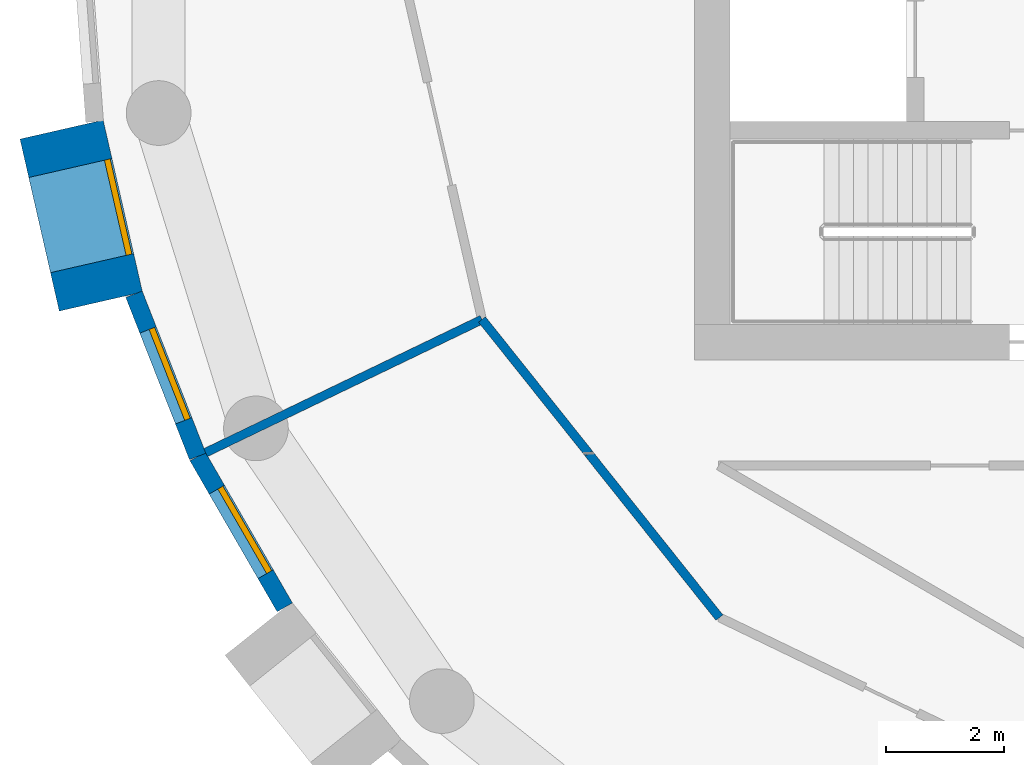
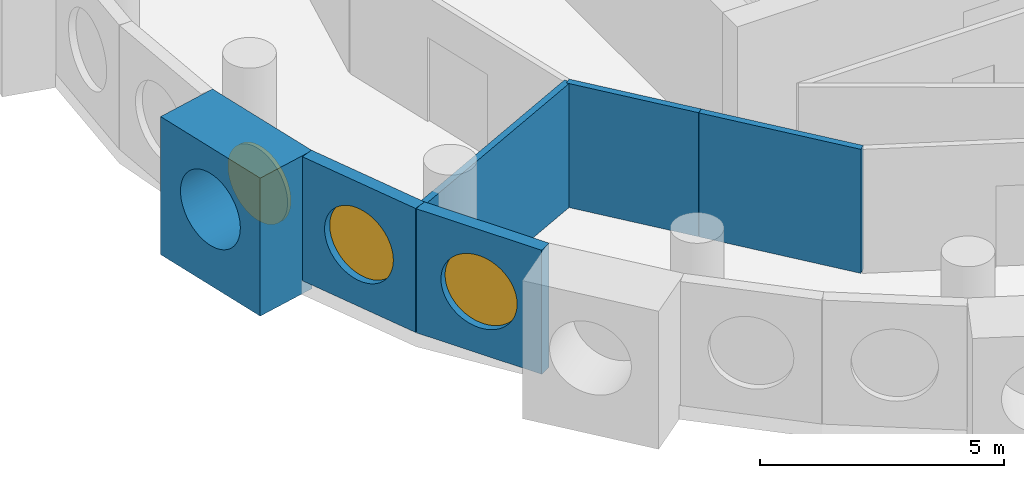
# One storey, part 2 of 13: 6 walls, 3 windows, 3 openings.
"""IFC4 building model written with IfcOpenShell, lengths in metres."""

import ifcopenshell
import ifcopenshell.guid

model = None  # the IFC model being written
_history = None  # IfcOwnerHistory: only IFC2X3 demands one
_inside = {}  # id of a spatial element -> (the spatial element, [elements in it])
_under = {}  # id of a project, library or spatial element -> (it, [spatial elements below it])
_declared = {}  # id of a project -> (the project, [libraries it declares])
_typed = {}  # id of a type object -> (the type object, [elements of that type])
_made_of = {}  # id of a material, layer set ... -> (it, [elements and type objects made of it])


def new_model(schema):
    """Start an empty IFC model of exactly this schema.

    Asked for "IFC4X3", IfcOpenShell would pick the latest addendum, in which some entities
    have other attributes; the version numbers below select the first issue.
    IFC2X3 requires an IfcOwnerHistory on every rooted entity: one is made here for all.
    """
    global model, _history
    if schema == "IFC4X3":
        model = ifcopenshell.file(schema_version=(4, 3, 0, 0))
    else:
        model = ifcopenshell.file(schema=schema)
    _inside.clear()
    _under.clear()
    _declared.clear()
    _typed.clear()
    _made_of.clear()
    _history = None
    if model.schema == "IFC2X3":
        org = make("IfcOrganization", Name="unknown")
        user = make(
            "IfcPersonAndOrganization",
            ThePerson=make("IfcPerson", FamilyName="unknown"),
            TheOrganization=org,
        )
        app = make(
            "IfcApplication",
            ApplicationDeveloper=org,
            Version="unknown",
            ApplicationFullName="unknown",
            ApplicationIdentifier="unknown",
        )
        _history = make(
            "IfcOwnerHistory",
            OwningUser=user,
            OwningApplication=app,
            ChangeAction="ADDED",
            CreationDate=0,
        )
    return model


def make(cls, **values):
    """One entity of the class cls with the attributes given. An attribute that is None is left unset."""
    return model.create_entity(
        cls, **{name: value for name, value in values.items() if value is not None}
    )


def rooted(cls, **values):
    """An entity with a GlobalId (a new one), such as an element, a storey or a relation."""
    return make(cls, GlobalId=ifcopenshell.guid.new(), OwnerHistory=_history, **values)


def si_unit(unit_type, name, prefix=None):
    """IfcSIUnit, for example si_unit("LENGTHUNIT", "METRE", prefix="MILLI")."""
    return make("IfcSIUnit", UnitType=unit_type, Prefix=prefix, Name=name)


def assignment(units):
    """IfcUnitAssignment: the units of a project."""
    return None if units is None else make("IfcUnitAssignment", Units=units)


def point(xyz):
    """IfcCartesianPoint."""
    return None if xyz is None else make("IfcCartesianPoint", Coordinates=xyz)


def direction(xyz):
    """IfcDirection."""
    return None if xyz is None else make("IfcDirection", DirectionRatios=xyz)


def frame(location, z_axis=None, x_axis=None):
    """IfcAxis2Placement3D, a coordinate frame: its origin and axes. An axis left out is left unset."""
    return make(
        "IfcAxis2Placement3D",
        Location=point(location),
        Axis=direction(z_axis),
        RefDirection=direction(x_axis),
    )


def frame_2d(location, x_axis=None):
    """IfcAxis2Placement2D, a coordinate frame in the plane: its origin and x axis."""
    return make(
        "IfcAxis2Placement2D", Location=point(location), RefDirection=direction(x_axis)
    )


def origin():
    """The frame at (0, 0, 0) with its axes left unset."""
    return frame((0.0, 0.0, 0.0))


def origin_2d():
    """The frame at (0, 0) in the plane with its x axis left unset."""
    return frame_2d((0.0, 0.0))


def place(relative_to, where):
    """IfcLocalPlacement: puts the frame where relative to a parent placement (None: the world)."""
    return make(
        "IfcLocalPlacement", PlacementRelTo=relative_to, RelativePlacement=where
    )


def context(
    kind, dimensions, precision=None, world=None, true_north=None, identifier=None
):
    """IfcGeometricRepresentationContext, for example the 3D "Model" context."""
    return make(
        "IfcGeometricRepresentationContext",
        ContextIdentifier=identifier,
        ContextType=kind,
        CoordinateSpaceDimension=dimensions,
        Precision=precision,
        WorldCoordinateSystem=world,
        TrueNorth=true_north,
    )


def subcontext(parent, identifier, kind, view, scale=None):
    """IfcGeometricRepresentationSubContext, for example "Body" below "Model"."""
    return make(
        "IfcGeometricRepresentationSubContext",
        ContextIdentifier=identifier,
        ContextType=kind,
        ParentContext=parent,
        TargetScale=scale,
        TargetView=view,
    )


def project(units=None, contexts=None):
    """IfcProject with its units and contexts."""
    return rooted(
        "IfcProject",
        Name="project",
        RepresentationContexts=contexts,
        UnitsInContext=assignment(units),
    )


def spatial(cls, under=None, at=None, **own):
    """A site, building, storey or space (cls), placed at a placement, below another one or the project."""
    s = rooted(cls, ObjectPlacement=at, **own)
    if under is not None:
        _under.setdefault(under.id(), (under, []))[1].append(s)
    return s


def profile(cls, at=None, kind="AREA", **sizes):
    """A parametric profile (cls). Its sizes go by their IFC names, for example OverallWidth=200.0."""
    return make(cls, ProfileType=kind, Position=at, **sizes)


def rectangle(**sizes):
    """IfcRectangleProfileDef."""
    return profile("IfcRectangleProfileDef", **sizes)


def circle(**sizes):
    """IfcCircleProfileDef."""
    return profile("IfcCircleProfileDef", **sizes)


def extrude(swept, where, along, depth):
    """IfcExtrudedAreaSolid: the profile swept, set in the frame where, extruded along a direction by depth."""
    return make(
        "IfcExtrudedAreaSolid",
        SweptArea=swept,
        Position=where,
        ExtrudedDirection=direction(along),
        Depth=depth,
    )


def shape(context_of_items, identifier, shape_type, items):
    """IfcShapeRepresentation: the items that make up one representation, for example the "Body"."""
    return make(
        "IfcShapeRepresentation",
        ContextOfItems=context_of_items,
        RepresentationIdentifier=identifier,
        RepresentationType=shape_type,
        Items=items,
    )


def material(Name=None, Category=None):
    """IfcMaterial."""
    return make("IfcMaterial", Name=Name, Category=Category)


def layer(
    of_material, thickness, ventilated=None, Name=None, Category=None, Priority=None
):
    """IfcMaterialLayer: one layer of a wall or slab, of a material (None: an air gap)."""
    return make(
        "IfcMaterialLayer",
        Material=of_material,
        LayerThickness=thickness,
        IsVentilated=ventilated,
        Name=Name,
        Category=Category,
        Priority=Priority,
    )


def layer_set(layers, Name=None):
    """IfcMaterialLayerSet."""
    return make("IfcMaterialLayerSet", MaterialLayers=layers, LayerSetName=Name)


def made_of(thing, what):
    """Note that an element or type object is made of a material, layer set ...; save() writes the relation."""
    if what is not None:
        _made_of.setdefault(what.id(), (what, []))[1].append(thing)
    return thing


def type_object(cls, material=None, **own):
    """A type object (cls), such as IfcWallType, which elements share."""
    return made_of(rooted(cls, **own), material)


def element(
    cls,
    number,
    at=None,
    inside=None,
    cuts=None,
    type_object=None,
    material=None,
    context=None,
    identifier="Body",
    shape_type=None,
    held_by="IfcProductDefinitionShape",
    body=None,
    shapes=None,
    **own,
):
    """One element of the class cls, such as IfcWall. Its Tag is "e" and its number.

    at: its placement. inside: the storey or other place that contains it. cuts: it is an
    opening in that element (IfcRelVoidsElement). A single representation is given by context,
    identifier, shape_type and body (its items); several are given by shapes. held_by: the class
    of the entity that holds the representations. save() writes the other relations.
    """
    e = rooted(cls, Tag="e%d" % number, ObjectPlacement=at, **own)
    if body is not None:
        shapes = [shape(context, identifier, shape_type, body)]
    if shapes is not None:
        e.Representation = make(held_by, Representations=shapes)
    if inside is not None:
        _inside.setdefault(inside.id(), (inside, []))[1].append(e)
    if cuts is not None:
        rooted(
            "IfcRelVoidsElement", RelatingBuildingElement=cuts, RelatedOpeningElement=e
        )
    if type_object is not None:
        _typed.setdefault(type_object.id(), (type_object, []))[1].append(e)
    return made_of(e, material)


def fill(opening, filler):
    """IfcRelFillsElement: the door or window that sits in an opening."""
    return rooted(
        "IfcRelFillsElement",
        RelatingOpeningElement=opening,
        RelatedBuildingElement=filler,
    )


def aggregate(whole, parts):
    """IfcRelAggregates: a whole, such as a stair, and the parts it consists of."""
    return rooted("IfcRelAggregates", RelatingObject=whole, RelatedObjects=parts)


def save(model, path):
    """Write the relations noted so far, then the file.

    IfcRelAggregates (storeys below a building ...), IfcRelContainedInSpatialStructure (elements
    in a storey), IfcRelDefinesByType, IfcRelAssociatesMaterial and IfcRelDeclares: one each for
    every whole, place, type object, material and project.
    """
    for whole, parts in _under.values():
        aggregate(whole, parts)
    for where, things in _inside.values():
        rooted(
            "IfcRelContainedInSpatialStructure",
            RelatedElements=things,
            RelatingStructure=where,
        )
    for kind, things in _typed.values():
        rooted("IfcRelDefinesByType", RelatedObjects=things, RelatingType=kind)
    for what, things in _made_of.values():
        rooted("IfcRelAssociatesMaterial", RelatedObjects=things, RelatingMaterial=what)
    for by, libraries in _declared.values():
        rooted("IfcRelDeclares", RelatingContext=by, RelatedDefinitions=libraries)
    model.write(path)


model = new_model("IFC4")

# Units and contexts
model_context = context("Model", 3, precision=1e-05, world=origin(), true_north=direction((0.0, 1.0)))
body_context = subcontext(model_context, "Body", "Model", "MODEL_VIEW")
ifc_project = project(units=[si_unit("LENGTHUNIT", "METRE"), si_unit("AREAUNIT", "SQUARE_METRE"), si_unit("VOLUMEUNIT", "CUBIC_METRE"), si_unit("PLANEANGLEUNIT", "RADIAN"), si_unit("MASSUNIT", "GRAM", prefix="KILO")], contexts=[model_context])

# Site, building, storey
site_placement = place(None, origin())
site = spatial("IfcSite", under=ifc_project, at=site_placement, CompositionType="ELEMENT")
building_placement = place(site_placement, origin())
building = spatial("IfcBuilding", under=site, at=building_placement, Name="Tracery Tower", CompositionType="ELEMENT")
storey_placement = place(building_placement, frame((0.0, 0.0, 274.199951171875)))
storey = spatial("IfcBuildingStorey", under=building, at=storey_placement, Name="L71", CompositionType="ELEMENT", Elevation=274.199951171875)

# Wall, opening, window
ifc_material_1 = material(Name="Precast concrete C50/60", Category="concrete")
ifc_layer_1 = layer(ifc_material_1, 1.449951171875)
ifc_layer_set_1 = layer_set([ifc_layer_1], Name="Deep-set bay unit 3000 x 3450, slab edge 350")
wall_type_1 = type_object("IfcWallType", Name="Deep-set bay unit 3000 x 3450, slab edge 350", PredefinedType="ELEMENTEDWALL", material=ifc_layer_set_1)
wall_1_placement = place(storey_placement, frame((-20.262451171875, -3.086181640625, -0.349853515625), z_axis=(0.0, 0.0, 1.0), x_axis=(0.222570682856, -0.974916555985, 0.0)))
wall_1 = element("IfcWall", 1, at=wall_1_placement, inside=storey, type_object=wall_type_1, Name="Deep-set bay unit 23 at L71", PredefinedType="ELEMENTEDWALL", context=body_context, shape_type="SweptSolid", body=[
    extrude(rectangle(XDim=3.0, YDim=1.449951171875, at=frame_2d((1.5, 0.0))), origin(), (0.0, 0.0, 1.0), 3.449951171875),
])
opening_1_placement = place(wall_1_placement, frame((1.5, 0.0, 1.89990234375)))
opening_1 = element("IfcOpeningElement", 2, at=opening_1_placement, cuts=wall_1, Name="Opening WN1", PredefinedType="OPENING", context=body_context, shape_type="SweptSolid", body=[
    extrude(circle(Radius=0.9000244140625, at=origin_2d()), frame((0.0, 0.73486328125, 0.0), z_axis=(0.0, -1.0, 0.0), x_axis=(1.0, 0.0, 0.0)), (0.0, 0.0, 1.0), 1.469970703125),
])
ifc_material_2 = material(Name="Aluminium frame with tinted double glazing", Category="aluminium")
window_type = type_object("IfcWindowType", Name="Round window 1800", PartitioningType="SINGLE_PANEL", PredefinedType="WINDOW", material=ifc_material_2)
window_1_placement = place(opening_1_placement, origin())
window_1 = element("IfcWindow", 3, at=window_1_placement, inside=storey, type_object=window_type, Name="Round window 23 at L71", OverallHeight=1.800048828125, OverallWidth=1.800048828125, PartitioningType="SINGLE_PANEL", PredefinedType="WINDOW", context=body_context, shape_type="SweptSolid", body=[
    extrude(circle(Radius=0.9000244140625, at=origin_2d()), frame((0.0, 0.69482421875, 0.0), z_axis=(0.0, -1.0, 0.0), x_axis=(1.0, 0.0, 0.0)), (0.0, 0.0, 1.0), 0.10009765625),
])
fill(opening_1, window_1)

ifc_material_3 = material(Name="Precast concrete C50/60", Category="concrete")
ifc_layer_2 = layer(ifc_material_3, 0.300048828125)
ifc_layer_set_2 = layer_set([ifc_layer_2], Name="Facade panel 3000 x 3100")
wall_type_2 = type_object("IfcWallType", Name="Facade panel 3000 x 3100", PredefinedType="SOLIDWALL", material=ifc_layer_set_2)
wall_2_placement = place(storey_placement, frame((-19.03125, -5.88623046875, 0.0), z_axis=(0.0, 0.0, 1.0), x_axis=(0.365343821297, -0.930872650925, 0.0)))
wall_2 = element("IfcWall", 4, at=wall_2_placement, inside=storey, type_object=wall_type_2, Name="Facade panel 24 at L71", PredefinedType="SOLIDWALL", context=body_context, shape_type="SweptSolid", body=[
    extrude(rectangle(XDim=2.96240234375, YDim=0.300048828125, at=frame_2d((1.481201171875, 0.0))), origin(), (0.0, 0.0, 1.0), 3.10009765625),
])
opening_2_placement = place(wall_2_placement, frame((1.48095703125, 0.0, 1.5498046875)))
opening_2 = element("IfcOpeningElement", 5, at=opening_2_placement, cuts=wall_2, Name="Opening WN1", PredefinedType="OPENING", context=body_context, shape_type="SweptSolid", body=[
    extrude(circle(Radius=0.9000244140625, at=origin_2d()), frame((0.0, 0.159912109375, 0.0), z_axis=(0.0, -1.0, 0.0), x_axis=(1.0, 0.0, 0.0)), (0.0, 0.0, 1.0), 0.320068359375),
])
window_2_placement = place(opening_2_placement, origin())
window_2 = element("IfcWindow", 6, at=window_2_placement, inside=storey, type_object=window_type, Name="Round window 24 at L71", OverallHeight=1.800048828125, OverallWidth=1.800048828125, PartitioningType="SINGLE_PANEL", PredefinedType="WINDOW", context=body_context, shape_type="SweptSolid", body=[
    extrude(circle(Radius=0.9000244140625, at=origin_2d()), frame((0.0, 0.1201171875, 0.0), z_axis=(0.0, -1.0, 0.0), x_axis=(1.0, 0.0, 0.0)), (0.0, 0.0, 1.0), 0.10009765625),
])
fill(opening_2, window_2)

wall_3_placement = place(storey_placement, frame((-17.948974609375, -8.643798828125, 0.0), z_axis=(0.0, 0.0, 1.0), x_axis=(0.500012570604, -0.866018146021, 0.0)))
wall_3 = element("IfcWall", 7, at=wall_3_placement, inside=storey, type_object=wall_type_2, Name="Facade panel 25 at L71", PredefinedType="SOLIDWALL", context=body_context, shape_type="SweptSolid", body=[
    extrude(rectangle(XDim=2.96240234375, YDim=0.300048828125, at=frame_2d((1.481201171875, 0.0))), origin(), (0.0, 0.0, 1.0), 3.10009765625),
])
opening_3_placement = place(wall_3_placement, frame((1.48095703125, 0.0, 1.5498046875)))
opening_3 = element("IfcOpeningElement", 8, at=opening_3_placement, cuts=wall_3, Name="Opening WN1", PredefinedType="OPENING", context=body_context, shape_type="SweptSolid", body=[
    extrude(circle(Radius=0.9000244140625, at=origin_2d()), frame((0.0, 0.159912109375, 0.0), z_axis=(0.0, -1.0, 0.0), x_axis=(1.0, 0.0, 0.0)), (0.0, 0.0, 1.0), 0.320068359375),
])
window_3_placement = place(opening_3_placement, origin())
window_3 = element("IfcWindow", 9, at=window_3_placement, inside=storey, type_object=window_type, Name="Round window 25 at L71", OverallHeight=1.800048828125, OverallWidth=1.800048828125, PartitioningType="SINGLE_PANEL", PredefinedType="WINDOW", context=body_context, shape_type="SweptSolid", body=[
    extrude(circle(Radius=0.9000244140625, at=origin_2d()), frame((0.0, 0.1201171875, 0.0), z_axis=(0.0, -1.0, 0.0), x_axis=(1.0, 0.0, 0.0)), (0.0, 0.0, 1.0), 0.10009765625),
])
fill(opening_3, window_3)

# Walls
ifc_material_4 = material(Name="Plasterboard on steel studs", Category="steel")
ifc_layer_3 = layer(ifc_material_4, 0.14990234375)
ifc_layer_set_3 = layer_set([ifc_layer_3], Name="Partition 150 acoustic unit wall")
wall_type_3 = type_object("IfcWallType", Name="Partition 150 acoustic unit wall", PredefinedType="PARTITIONING", material=ifc_layer_set_3)
wall_4_placement = place(storey_placement, frame((-17.81298828125, -8.577880859375, 0.0), z_axis=(0.0, 0.0, 1.0), x_axis=(0.901004381064, 0.433809987557, 0.0)))
element("IfcWall", 10, at=wall_4_placement, inside=storey, type_object=wall_type_3, Name="Unit wall RC5-047", PredefinedType="PARTITIONING", context=body_context, shape_type="SweptSolid", body=[
    extrude(rectangle(XDim=5.214111328125, YDim=0.14990234375, at=frame_2d((2.60693359375, 0.0))), origin(), (0.0, 0.0, 1.0), 3.10009765625),
])
ifc_material_5 = material(Name="Plasterboard on steel studs", Category="steel")
ifc_layer_4 = layer(ifc_material_5, 0.14990234375)
ifc_layer_set_4 = layer_set([ifc_layer_4], Name="Partition 150 corridor wall")
wall_type_4 = type_object("IfcWallType", Name="Partition 150 corridor wall", PredefinedType="PARTITIONING", material=ifc_layer_set_4)
wall_5_placement = place(storey_placement, frame((-11.300048828125, -8.59619140625, 0.0), z_axis=(0.0, 0.0, 1.0), x_axis=(0.623165080354, -0.782090328944, 0.0)))
element("IfcWall", 11, at=wall_5_placement, inside=storey, type_object=wall_type_4, Name="Corridor wall RC5-014", PredefinedType="PARTITIONING", context=body_context, shape_type="SweptSolid", body=[
    extrude(rectangle(XDim=3.56396484375, YDim=0.14990234375, at=frame_2d((1.781982421875, 0.0))), origin(), (0.0, 0.0, 1.0), 3.10009765625),
])
wall_6_placement = place(storey_placement, frame((-13.114990234375, -6.31591796875, 0.0), z_axis=(0.0, 0.0, 1.0), x_axis=(0.623446514299, -0.781866001185, 0.0)))
element("IfcWall", 12, at=wall_6_placement, inside=storey, type_object=wall_type_4, Name="Corridor wall RC5-033", PredefinedType="PARTITIONING", context=body_context, shape_type="SweptSolid", body=[
    extrude(rectangle(XDim=2.9111328125, YDim=0.14990234375, at=frame_2d((1.45556640625, 0.0))), origin(), (0.0, 0.0, 1.0), 3.10009765625),
])

save(model, "model.ifc")
